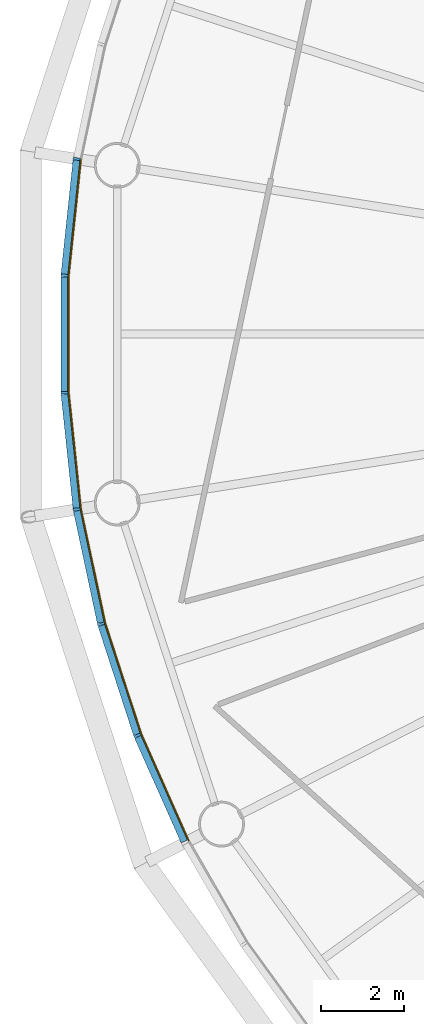
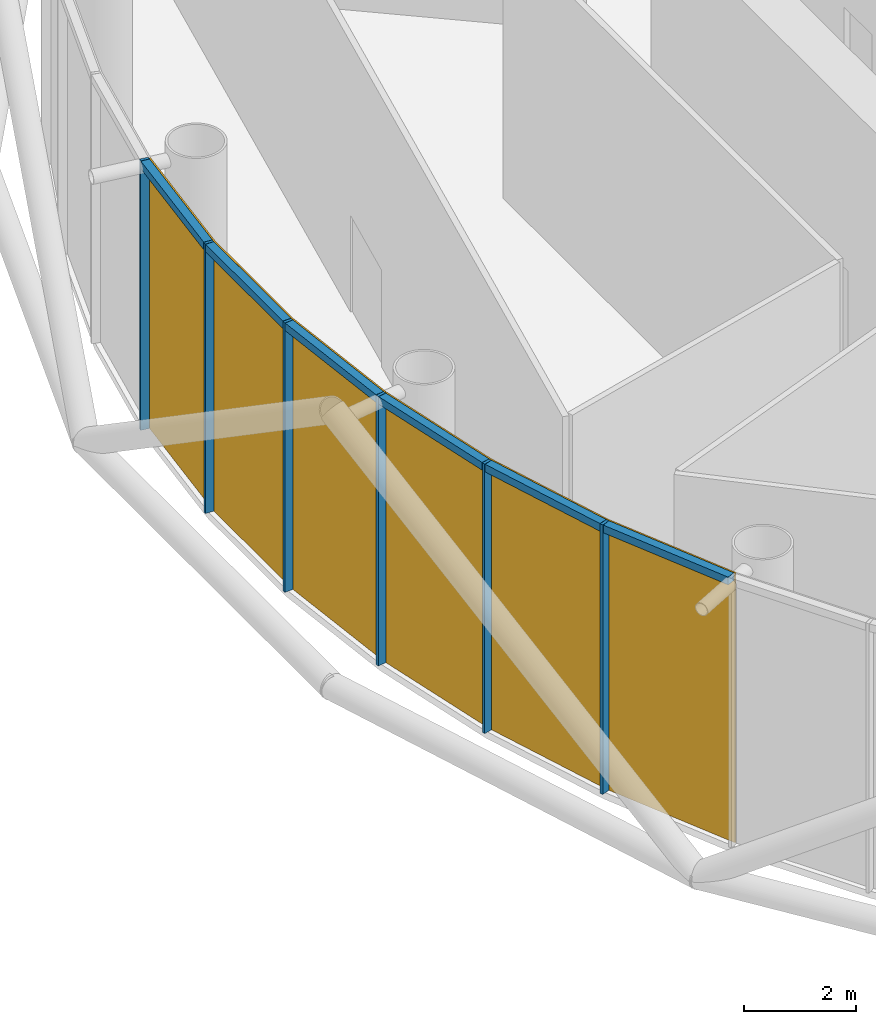
# One storey, part 8 of 14: 12 members, 2 curtain walls.
"""IFC4 building model written with IfcOpenShell, lengths in metres."""

from ifc_helpers import new_model, si_unit, direction, frame, origin, origin_2d, place, context, subcontext, project, spatial, polyline, rectangle, outline, extrude, material, layer, layer_set, material_profile, profile_set, type_object, element, aggregate, save


model = new_model("IFC4")

# Units and contexts
model_context = context("Model", 3, precision=1e-05, world=origin(), true_north=direction((0.0, 1.0)))
body_context = subcontext(model_context, "Body", "Model", "MODEL_VIEW")
ifc_project = project(units=[si_unit("LENGTHUNIT", "METRE"), si_unit("AREAUNIT", "SQUARE_METRE"), si_unit("VOLUMEUNIT", "CUBIC_METRE"), si_unit("PLANEANGLEUNIT", "RADIAN"), si_unit("MASSUNIT", "GRAM", prefix="KILO")], contexts=[model_context])

# Member
ifc_material_1 = material(Name="Anodised aluminium", Category="aluminium")
ifc_material_profile_1 = material_profile(ifc_material_1, rectangle(XDim=0.06005859375, YDim=0.169921875, at=origin_2d()), Name="Mullion 60 x 170 mm anodised aluminium")
ifc_profile_set_1 = profile_set([ifc_material_profile_1], Name="Anodised aluminium")
member_type_1 = type_object("IfcMemberType", Name="Mullion 60 x 170 mm anodised aluminium", PredefinedType="MULLION", material=ifc_profile_set_1)
site_placement = place(None, origin())
building_placement = place(site_placement, origin())
storey_placement = place(building_placement, frame((0.0, 0.0, 262.0)))
member_1_placement = place(storey_placement, frame((63.446044921875, 84.205810546875, 0.0), z_axis=(0.0, 0.0, 1.0), x_axis=(-0.15643446504, -0.987688340595, 0.0)))
member_1 = element("IfcMember", 1, at=member_1_placement, type_object=member_type_1, Name="MULLION L60-27", PredefinedType="MULLION", context=body_context, shape_type="SweptSolid", body=[
    extrude(rectangle(XDim=0.06005859375, YDim=0.169921875, at=origin_2d()), origin(), (0.0, 0.0, 1.0), 5.85009765625),
])

member_2_placement = place(storey_placement, frame((63.15185546875, 81.406982421875, 0.0), z_axis=(0.0, 0.0, 1.0), x_axis=(-0.052335956243, -0.998629534755, 0.0)))
member_2 = element("IfcMember", 2, at=member_2_placement, type_object=member_type_1, Name="MULLION L60-28", PredefinedType="MULLION", context=body_context, shape_type="SweptSolid", body=[
    extrude(rectangle(XDim=0.06005859375, YDim=0.169921875, at=origin_2d()), origin(), (0.0, 0.0, 1.0), 5.85009765625),
])

member_3_placement = place(storey_placement, frame((63.15185546875, 78.593017578125, 0.0), z_axis=(0.0, 0.0, 1.0), x_axis=(0.052335956243, -0.998629534755, 0.0)))
member_3 = element("IfcMember", 3, at=member_3_placement, type_object=member_type_1, Name="MULLION L60-29", PredefinedType="MULLION", context=body_context, shape_type="SweptSolid", body=[
    extrude(rectangle(XDim=0.06005859375, YDim=0.169921875, at=origin_2d()), origin(), (0.0, 0.0, 1.0), 5.85009765625),
])

member_4_placement = place(storey_placement, frame((63.446044921875, 75.794189453125, 0.0), z_axis=(0.0, 0.0, 1.0), x_axis=(0.15643446504, -0.987688340595, 0.0)))
member_4 = element("IfcMember", 4, at=member_4_placement, type_object=member_type_1, Name="MULLION L60-30", PredefinedType="MULLION", context=body_context, shape_type="SweptSolid", body=[
    extrude(rectangle(XDim=0.06005859375, YDim=0.169921875, at=origin_2d()), origin(), (0.0, 0.0, 1.0), 5.85009765625),
])

member_5_placement = place(storey_placement, frame((64.031005859375, 73.041748046875, 0.0), z_axis=(0.0, 0.0, 1.0), x_axis=(0.258819045103, -0.965925826289, 0.0)))
member_5 = element("IfcMember", 5, at=member_5_placement, type_object=member_type_1, Name="MULLION L60-31", PredefinedType="MULLION", context=body_context, shape_type="SweptSolid", body=[
    extrude(rectangle(XDim=0.06005859375, YDim=0.169921875, at=origin_2d()), origin(), (0.0, 0.0, 1.0), 5.85009765625),
])

member_6_placement = place(storey_placement, frame((64.900634765625, 70.365234375, 0.0), z_axis=(0.0, 0.0, 1.0), x_axis=(0.358367949545, -0.933580426497, 0.0)))
member_6 = element("IfcMember", 6, at=member_6_placement, type_object=member_type_1, Name="MULLION L60-32", PredefinedType="MULLION", context=body_context, shape_type="SweptSolid", body=[
    extrude(rectangle(XDim=0.06005859375, YDim=0.169921875, at=origin_2d()), origin(), (0.0, 0.0, 1.0), 5.85009765625),
])

ifc_material_2 = material(Name="Anodised aluminium", Category="aluminium")
ifc_material_profile_2 = material_profile(ifc_material_2, rectangle(XDim=0.169921875, YDim=0.1650390625, at=origin_2d()), Name="Transom 165 x 170 mm anodised aluminium")
ifc_profile_set_2 = profile_set([ifc_material_profile_2], Name="Anodised aluminium")
member_type_2 = type_object("IfcMemberType", Name="Transom 165 x 170 mm anodised aluminium", PredefinedType="USERDEFINED", material=ifc_profile_set_2)
member_7_placement = place(storey_placement, frame((63.4423828125, 84.17138671875, 5.767578125), z_axis=(-0.104592190102, -0.994515195344, 0.0), x_axis=(0.994515195344, -0.104592190102, 0.0)))
member_7 = element("IfcMember", 7, at=member_7_placement, type_object=member_type_2, Name="TRANSOM L60-27", ObjectType="TRANSOM", PredefinedType="USERDEFINED", context=body_context, shape_type="SweptSolid", body=[
    extrude(rectangle(XDim=0.169921875, YDim=0.1650390625, at=origin_2d()), origin(), (0.0, 0.0, 1.0), 2.7451171875),
])

member_8_placement = place(storey_placement, frame((63.151611328125, 81.37255859375, 5.767578125), z_axis=(0.0, -1.0, 0.0), x_axis=(1.0, 0.0, 0.0)))
member_8 = element("IfcMember", 8, at=member_8_placement, type_object=member_type_2, Name="TRANSOM L60-28", ObjectType="TRANSOM", PredefinedType="USERDEFINED", context=body_context, shape_type="SweptSolid", body=[
    extrude(rectangle(XDim=0.169921875, YDim=0.1650390625, at=origin_2d()), origin(), (0.0, 0.0, 1.0), 2.7451171875),
])

member_9_placement = place(storey_placement, frame((63.1552734375, 78.55859375, 5.767578125), z_axis=(0.104592190102, -0.994515195344, 0.0), x_axis=(0.994515195344, 0.104592190102, 0.0)))
member_9 = element("IfcMember", 9, at=member_9_placement, type_object=member_type_2, Name="TRANSOM L60-29", ObjectType="TRANSOM", PredefinedType="USERDEFINED", context=body_context, shape_type="SweptSolid", body=[
    extrude(rectangle(XDim=0.169921875, YDim=0.1650390625, at=origin_2d()), origin(), (0.0, 0.0, 1.0), 2.7451171875),
])

member_10_placement = place(storey_placement, frame((63.453125, 75.760498046875, 5.767578125), z_axis=(0.207937468562, -0.97814212115, 0.0), x_axis=(0.97814212115, 0.207937468562, 0.0)))
member_10 = element("IfcMember", 10, at=member_10_placement, type_object=member_type_2, Name="TRANSOM L60-30", ObjectType="TRANSOM", PredefinedType="USERDEFINED", context=body_context, shape_type="SweptSolid", body=[
    extrude(rectangle(XDim=0.169921875, YDim=0.1650390625, at=origin_2d()), origin(), (0.0, 0.0, 1.0), 2.7451171875),
])

member_11_placement = place(storey_placement, frame((64.04150390625, 73.0087890625, 5.767578125), z_axis=(0.309041831781, -0.951048445774, 0.0), x_axis=(0.951048445774, 0.309041831781, 0.0)))
member_11 = element("IfcMember", 11, at=member_11_placement, type_object=member_type_2, Name="TRANSOM L60-31", ObjectType="TRANSOM", PredefinedType="USERDEFINED", context=body_context, shape_type="SweptSolid", body=[
    extrude(rectangle(XDim=0.169921875, YDim=0.1650390625, at=origin_2d()), origin(), (0.0, 0.0, 1.0), 2.7451171875),
])

member_12_placement = place(storey_placement, frame((64.91455078125, 70.333740234375, 5.767578125), z_axis=(0.406781987391, -0.913525267704, 0.0), x_axis=(0.913525267704, 0.406781987391, 0.0)))
member_12 = element("IfcMember", 12, at=member_12_placement, type_object=member_type_2, Name="TRANSOM L60-32", ObjectType="TRANSOM", PredefinedType="USERDEFINED", context=body_context, shape_type="SweptSolid", body=[
    extrude(rectangle(XDim=0.169921875, YDim=0.1650390625, at=origin_2d()), origin(), (0.0, 0.0, 1.0), 2.7451171875),
])

# Site, building, storey
site = spatial("IfcSite", under=ifc_project, at=site_placement, CompositionType="ELEMENT")
building = spatial("IfcBuilding", under=site, at=building_placement, Name="Entoto Ring Tower", CompositionType="ELEMENT")
storey = spatial("IfcBuildingStorey", under=building, at=storey_placement, Name="L60", CompositionType="ELEMENT", Elevation=262.0)

# Curtain wall
ifc_material_3 = material(Name="Clear low-iron glass", Category="glass")
ifc_layer = layer(ifc_material_3, 0.031982421875)
ifc_layer_set = layer_set([ifc_layer], Name="Clear low-iron glass")
curtain_wall_type = type_object("IfcCurtainWallType", Name="Curtain wall system CW4 glazing 32 mm", PredefinedType="NOTDEFINED", material=ifc_layer_set)
curtain_wall_1_placement = place(storey_placement, origin())
curtain_wall_1 = element("IfcCurtainWall", 13, at=curtain_wall_1_placement, inside=storey, type_object=curtain_wall_type, Name="CW4 L60-10", PredefinedType="NOTDEFINED", context=body_context, shape_type="SweptSolid", body=[
    extrude(outline(polyline([(63.530029296875, 84.1923828125), (63.23681640625, 81.402587890625), (63.23681640625, 78.597412109375), (63.530029296875, 75.8076171875), (63.5615234375, 75.8125), (63.268798828125, 78.59912109375), (63.268798828125, 81.40087890625), (63.5615234375, 84.1875), (63.530029296875, 84.1923828125)])), origin(), (0.0, 0.0, 1.0), 5.85009765625),
])

aggregate(curtain_wall_1, [member_1, member_2, member_3, member_7, member_8, member_9])

curtain_wall_2_placement = place(storey_placement, origin())
curtain_wall_2 = element("IfcCurtainWall", 14, at=curtain_wall_2_placement, inside=storey, type_object=curtain_wall_type, Name="CW4 L60-11", PredefinedType="NOTDEFINED", context=body_context, shape_type="SweptSolid", body=[
    extrude(outline(polyline([(63.530029296875, 75.8076171875), (64.11328125, 73.063720703125), (64.97998046875, 70.395751953125), (66.12109375, 67.8330078125), (66.149658203125, 67.84765625), (65.010009765625, 70.4072265625), (64.14404296875, 73.072021484375), (63.5615234375, 75.8125), (63.530029296875, 75.8076171875)])), origin(), (0.0, 0.0, 1.0), 5.85009765625),
])

aggregate(curtain_wall_2, [member_4, member_5, member_6, member_10, member_11, member_12])

save(model, "model.ifc")
